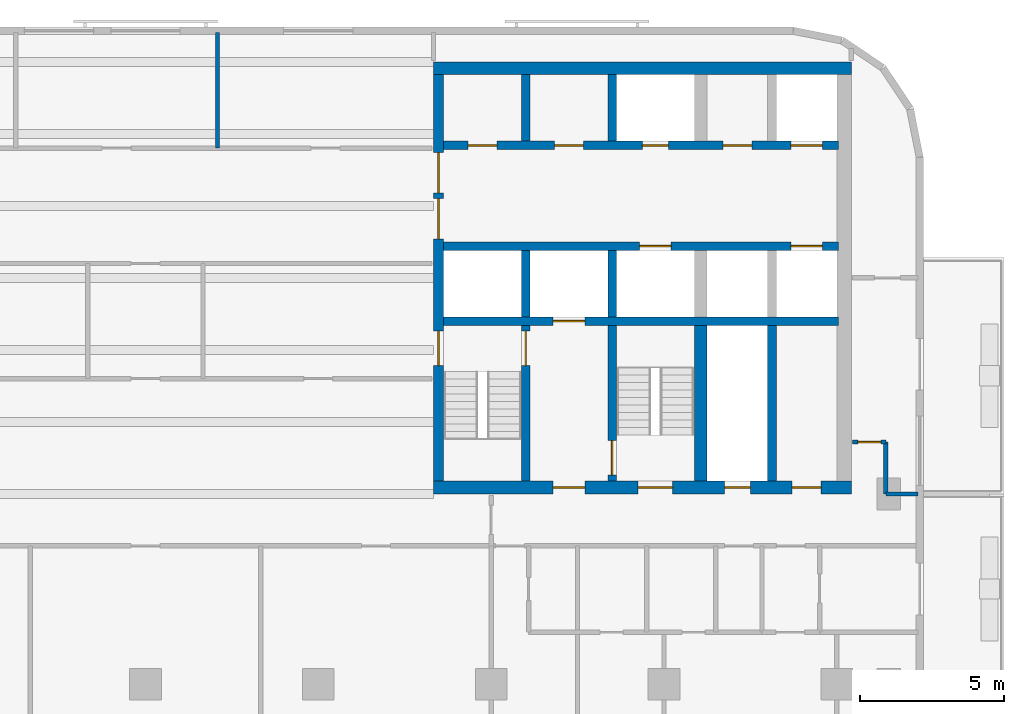
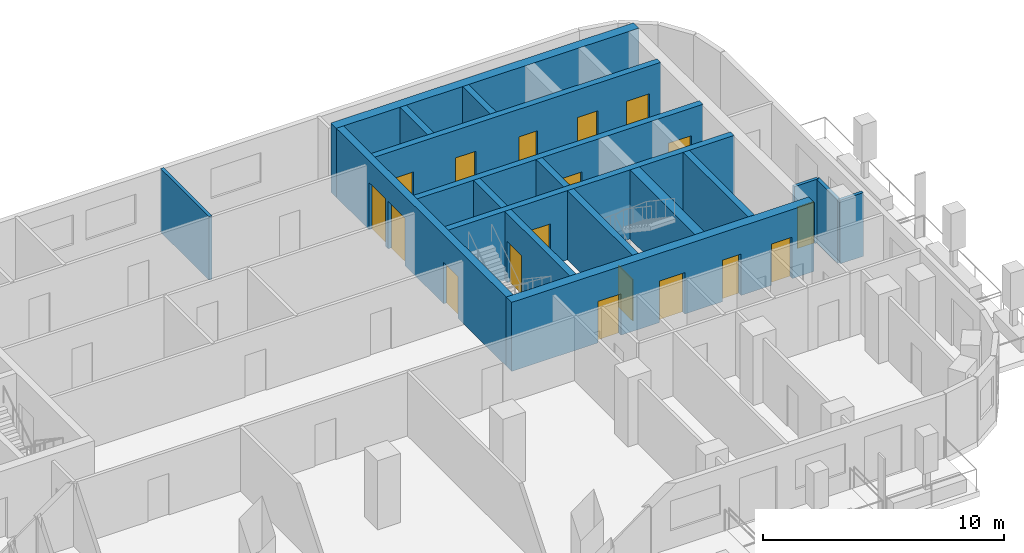
# One storey, part 6 of 11: 18 doors, 18 walls, 18 openings.
"""IFC4 building model written with IfcOpenShell, lengths in metres."""

from ifc_helpers import new_model, si_unit, direction, frame, frame_2d, origin, place, context, subcontext, project, spatial, rectangle, extrude, material, layer, layer_set, type_object, element, fill, save


model = new_model("IFC4")

# Units and contexts
model_context = context("Model", 3, precision=1e-05, world=origin(), true_north=direction((0.0, 1.0)))
body_context = subcontext(model_context, "Body", "Model", "MODEL_VIEW")
ifc_project = project(units=[si_unit("LENGTHUNIT", "METRE"), si_unit("AREAUNIT", "SQUARE_METRE"), si_unit("VOLUMEUNIT", "CUBIC_METRE"), si_unit("PLANEANGLEUNIT", "RADIAN"), si_unit("MASSUNIT", "GRAM", prefix="KILO")], contexts=[model_context])

# Site, building, storey
site_placement = place(None, origin())
site = spatial("IfcSite", under=ifc_project, at=site_placement, CompositionType="ELEMENT")
building_placement = place(site_placement, origin())
building = spatial("IfcBuilding", under=site, at=building_placement, Name="Torana Hotel and Residences", CompositionType="ELEMENT")
storey_placement = place(building_placement, frame((0.0, 0.0, 190.60009765625)))
storey = spatial("IfcBuildingStorey", under=building, at=storey_placement, Name="L49", CompositionType="ELEMENT", Elevation=190.60009765625)

# Wall, openings, doors
ifc_material_1 = material(Name="Concrete C70/85", Category="concrete")
ifc_layer_1 = layer(ifc_material_1, 0.300048828125)
ifc_layer_set_1 = layer_set([ifc_layer_1], Name="CORE WALL 300 C70/85")
wall_type_1 = type_object("IfcWallType", Name="CORE WALL 300 C70/85", PredefinedType="SHEAR", material=ifc_layer_set_1)
wall_1_placement = place(storey_placement, frame((10.35009765625, -2.89990234375, 0.0), z_axis=(0.0, 0.0, 1.0), x_axis=(1.0, 0.0, 0.0)))
wall_1 = element("IfcWall", 1, at=wall_1_placement, inside=storey, type_object=wall_type_1, Name="Core wall E row-N", PredefinedType="SHEAR", context=body_context, shape_type="SweptSolid", body=[
    extrude(rectangle(XDim=13.699951171875, YDim=0.300048828125, at=frame_2d((6.85009765625, 0.0))), origin(), (0.0, 0.0, 1.0), 3.5),
])
opening_1_placement = place(wall_1_placement, frame((12.050048828125, 0.0, 0.0)))
opening_1 = element("IfcOpeningElement", 2, at=opening_1_placement, cuts=wall_1, Name="Opening LD", PredefinedType="OPENING", context=body_context, shape_type="SweptSolid", body=[
    extrude(rectangle(XDim=1.10009765625, YDim=2.10009765625, at=frame_2d((0.550048828125, 1.050048828125))), frame((0.0, 0.159912109375, 0.0), z_axis=(0.0, -1.0, 0.0), x_axis=(1.0, 0.0, 0.0)), (0.0, 0.0, 1.0), 0.320068359375),
])
opening_2_placement = place(wall_1_placement, frame((6.89990234375, 0.0, 0.0)))
opening_2 = element("IfcOpeningElement", 3, at=opening_2_placement, cuts=wall_1, Name="Opening L49-21", PredefinedType="OPENING", context=body_context, shape_type="SweptSolid", body=[
    extrude(rectangle(XDim=0.89990234375, YDim=2.10009765625, at=frame_2d((0.449951171875, 1.050048828125))), frame((0.0, 0.159912109375, 0.0), z_axis=(0.0, -1.0, 0.0), x_axis=(1.0, 0.0, 0.0)), (0.0, 0.0, 1.0), 0.320068359375),
])
opening_3_placement = place(wall_1_placement, frame((0.85009765625, 0.0, 0.0)))
opening_3 = element("IfcOpeningElement", 4, at=opening_3_placement, cuts=wall_1, Name="Opening L49-22", PredefinedType="OPENING", context=body_context, shape_type="SweptSolid", body=[
    extrude(rectangle(XDim=1.0, YDim=2.10009765625, at=frame_2d((0.5, 1.050048828125))), frame((0.0, 0.159912109375, 0.0), z_axis=(0.0, -1.0, 0.0), x_axis=(1.0, 0.0, 0.0)), (0.0, 0.0, 1.0), 0.320068359375),
])
opening_4_placement = place(wall_1_placement, frame((3.85009765625, 0.0, 0.0)))
opening_4 = element("IfcOpeningElement", 5, at=opening_4_placement, cuts=wall_1, Name="Opening L49-23", PredefinedType="OPENING", context=body_context, shape_type="SweptSolid", body=[
    extrude(rectangle(XDim=1.0, YDim=2.10009765625, at=frame_2d((0.5, 1.050048828125))), frame((0.0, 0.159912109375, 0.0), z_axis=(0.0, -1.0, 0.0), x_axis=(1.0, 0.0, 0.0)), (0.0, 0.0, 1.0), 0.320068359375),
])
opening_5_placement = place(wall_1_placement, frame((9.699951171875, 0.0, 0.0)))
opening_5 = element("IfcOpeningElement", 6, at=opening_5_placement, cuts=wall_1, Name="Opening L49-24", PredefinedType="OPENING", context=body_context, shape_type="SweptSolid", body=[
    extrude(rectangle(XDim=1.0, YDim=2.10009765625, at=frame_2d((0.5, 1.050048828125))), frame((0.0, 0.159912109375, 0.0), z_axis=(0.0, -1.0, 0.0), x_axis=(1.0, 0.0, 0.0)), (0.0, 0.0, 1.0), 0.320068359375),
])
ifc_material_2 = material(Name="Steel S235", Category="steel")
door_type_1 = type_object("IfcDoorType", Name="CORE ROOM FIRE DOOR D14 1000x2100", OperationType="SINGLE_SWING_LEFT", PredefinedType="DOOR", material=ifc_material_2)
door_1_placement = place(opening_3_placement, origin())
door_1 = element("IfcDoor", 7, at=door_1_placement, inside=storey, type_object=door_type_1, Name="N0 door L49", OperationType="SINGLE_SWING_RIGHT", OverallHeight=2.10009765625, OverallWidth=1.0, PredefinedType="DOOR", context=body_context, shape_type="SweptSolid", body=[
    extrude(rectangle(XDim=1.0, YDim=2.10009765625, at=frame_2d((0.5, 1.050048828125))), frame((0.0, 0.02490234375, 0.0), z_axis=(0.0, -1.0, 0.0), x_axis=(1.0, 0.0, 0.0)), (0.0, 0.0, 1.0), 0.050048828125),
])
fill(opening_3, door_1)
door_2_placement = place(opening_4_placement, origin())
door_2 = element("IfcDoor", 8, at=door_2_placement, inside=storey, type_object=door_type_1, Name="N1 door L49", OperationType="SINGLE_SWING_RIGHT", OverallHeight=2.10009765625, OverallWidth=1.0, PredefinedType="DOOR", context=body_context, shape_type="SweptSolid", body=[
    extrude(rectangle(XDim=1.0, YDim=2.10009765625, at=frame_2d((0.5, 1.050048828125))), frame((0.0, 0.02490234375, 0.0), z_axis=(0.0, -1.0, 0.0), x_axis=(1.0, 0.0, 0.0)), (0.0, 0.0, 1.0), 0.050048828125),
])
fill(opening_4, door_2)
door_3_placement = place(opening_5_placement, origin())
door_3 = element("IfcDoor", 9, at=door_3_placement, inside=storey, type_object=door_type_1, Name="Freed-S2 door L49", OperationType="SINGLE_SWING_RIGHT", OverallHeight=2.10009765625, OverallWidth=1.0, PredefinedType="DOOR", context=body_context, shape_type="SweptSolid", body=[
    extrude(rectangle(XDim=1.0, YDim=2.10009765625, at=frame_2d((0.5, 1.050048828125))), frame((0.0, 0.02490234375, 0.0), z_axis=(0.0, -1.0, 0.0), x_axis=(1.0, 0.0, 0.0)), (0.0, 0.0, 1.0), 0.050048828125),
])
fill(opening_5, door_3)
ifc_material_3 = material(Name="Stainless steel 316", Category="steel")
door_type_2 = type_object("IfcDoorType", Name="LIFT LANDING DOOR LD 1100x2100", OperationType="DOUBLE_DOOR_SLIDING", PredefinedType="USERDEFINED", material=ifc_material_3)
door_4_placement = place(opening_1_placement, origin())
door_4 = element("IfcDoor", 10, at=door_4_placement, inside=storey, type_object=door_type_2, Name="Lift landing door M3 L49", ObjectType="LIFT LANDING DOOR", OperationType="DOUBLE_DOOR_SLIDING", OverallHeight=2.10009765625, OverallWidth=1.10009765625, PredefinedType="USERDEFINED", context=body_context, shape_type="SweptSolid", body=[
    extrude(rectangle(XDim=1.10009765625, YDim=2.10009765625, at=frame_2d((0.550048828125, 1.050048828125))), frame((0.0, 0.02490234375, 0.0), z_axis=(0.0, -1.0, 0.0), x_axis=(1.0, 0.0, 0.0)), (0.0, 0.0, 1.0), 0.050048828125),
])
fill(opening_1, door_4)
ifc_material_4 = material(Name="Steel S235", Category="steel")
door_type_3 = type_object("IfcDoorType", Name="RISER ACCESS DOOR D5 900x2100", OperationType="SINGLE_SWING_LEFT", PredefinedType="DOOR", material=ifc_material_4)
door_5_placement = place(opening_2_placement, origin())
door_5 = element("IfcDoor", 11, at=door_5_placement, inside=storey, type_object=door_type_3, Name="N2 door L49", OperationType="SINGLE_SWING_RIGHT", OverallHeight=2.10009765625, OverallWidth=0.89990234375, PredefinedType="DOOR", context=body_context, shape_type="SweptSolid", body=[
    extrude(rectangle(XDim=0.89990234375, YDim=2.10009765625, at=frame_2d((0.449951171875, 1.050048828125))), frame((0.0, 0.02490234375, 0.0), z_axis=(0.0, -1.0, 0.0), x_axis=(1.0, 0.0, 0.0)), (0.0, 0.0, 1.0), 0.050048828125),
])
fill(opening_2, door_5)

wall_2_placement = place(storey_placement, frame((10.35009765625, -6.39990234375, 0.0), z_axis=(0.0, 0.0, 1.0), x_axis=(1.0, 0.0, 0.0)))
wall_2 = element("IfcWall", 12, at=wall_2_placement, inside=storey, type_object=wall_type_1, Name="Core wall E row-S", PredefinedType="SHEAR", context=body_context, shape_type="SweptSolid", body=[
    extrude(rectangle(XDim=13.699951171875, YDim=0.300048828125, at=frame_2d((6.85009765625, 0.0))), origin(), (0.0, 0.0, 1.0), 3.5),
])
opening_6_placement = place(wall_2_placement, frame((12.050048828125, 0.0, 0.0)))
opening_6 = element("IfcOpeningElement", 13, at=opening_6_placement, cuts=wall_2, Name="Opening LD", PredefinedType="OPENING", context=body_context, shape_type="SweptSolid", body=[
    extrude(rectangle(XDim=1.10009765625, YDim=2.10009765625, at=frame_2d((0.550048828125, 1.050048828125))), frame((0.0, 0.159912109375, 0.0), z_axis=(0.0, -1.0, 0.0), x_axis=(1.0, 0.0, 0.0)), (0.0, 0.0, 1.0), 0.320068359375),
])
opening_7_placement = place(wall_2_placement, frame((6.800048828125, 0.0, 0.0)))
opening_7 = element("IfcOpeningElement", 14, at=opening_7_placement, cuts=wall_2, Name="Opening LD", PredefinedType="OPENING", context=body_context, shape_type="SweptSolid", body=[
    extrude(rectangle(XDim=1.10009765625, YDim=2.10009765625, at=frame_2d((0.550048828125, 1.050048828125))), frame((0.0, 0.159912109375, 0.0), z_axis=(0.0, -1.0, 0.0), x_axis=(1.0, 0.0, 0.0)), (0.0, 0.0, 1.0), 0.320068359375),
])
door_6_placement = place(opening_6_placement, origin())
door_6 = element("IfcDoor", 15, at=door_6_placement, inside=storey, type_object=door_type_2, Name="Lift landing door M4 L49", ObjectType="LIFT LANDING DOOR", OperationType="DOUBLE_DOOR_SLIDING", OverallHeight=2.10009765625, OverallWidth=1.10009765625, PredefinedType="USERDEFINED", context=body_context, shape_type="SweptSolid", body=[
    extrude(rectangle(XDim=1.10009765625, YDim=2.10009765625, at=frame_2d((0.550048828125, 1.050048828125))), frame((0.0, 0.02490234375, 0.0), z_axis=(0.0, -1.0, 0.0), x_axis=(1.0, 0.0, 0.0)), (0.0, 0.0, 1.0), 0.050048828125),
])
fill(opening_6, door_6)
door_7_placement = place(opening_7_placement, origin())
door_7 = element("IfcDoor", 16, at=door_7_placement, inside=storey, type_object=door_type_2, Name="Lift landing door SV2 L49", ObjectType="LIFT LANDING DOOR", OperationType="DOUBLE_DOOR_SLIDING", OverallHeight=2.10009765625, OverallWidth=1.10009765625, PredefinedType="USERDEFINED", context=body_context, shape_type="SweptSolid", body=[
    extrude(rectangle(XDim=1.10009765625, YDim=2.10009765625, at=frame_2d((0.550048828125, 1.050048828125))), frame((0.0, 0.02490234375, 0.0), z_axis=(0.0, -1.0, 0.0), x_axis=(1.0, 0.0, 0.0)), (0.0, 0.0, 1.0), 0.050048828125),
])
fill(opening_7, door_7)

# Wall, opening, door
wall_3_placement = place(storey_placement, frame((10.35009765625, -9.0, 0.0), z_axis=(0.0, 0.0, 1.0), x_axis=(1.0, 0.0, 0.0)))
wall_3 = element("IfcWall", 17, at=wall_3_placement, inside=storey, type_object=wall_type_1, Name="Core wall E band", PredefinedType="SHEAR", context=body_context, shape_type="SweptSolid", body=[
    extrude(rectangle(XDim=13.699951171875, YDim=0.300048828125, at=frame_2d((6.85009765625, 0.0))), origin(), (0.0, 0.0, 1.0), 3.5),
])
opening_8_placement = place(wall_3_placement, frame((3.800048828125, 0.0, 0.0)))
opening_8 = element("IfcOpeningElement", 18, at=opening_8_placement, cuts=wall_3, Name="Opening LD", PredefinedType="OPENING", context=body_context, shape_type="SweptSolid", body=[
    extrude(rectangle(XDim=1.10009765625, YDim=2.10009765625, at=frame_2d((0.550048828125, 1.050048828125))), frame((0.0, 0.159912109375, 0.0), z_axis=(0.0, -1.0, 0.0), x_axis=(1.0, 0.0, 0.0)), (0.0, 0.0, 1.0), 0.320068359375),
])
door_8_placement = place(opening_8_placement, origin())
door_8 = element("IfcDoor", 19, at=door_8_placement, inside=storey, type_object=door_type_2, Name="Lift landing door FF2 L49", ObjectType="LIFT LANDING DOOR", OperationType="DOUBLE_DOOR_SLIDING", OverallHeight=2.10009765625, OverallWidth=1.10009765625, PredefinedType="USERDEFINED", context=body_context, shape_type="SweptSolid", body=[
    extrude(rectangle(XDim=1.10009765625, YDim=2.10009765625, at=frame_2d((0.550048828125, 1.050048828125))), frame((0.0, 0.02490234375, 0.0), z_axis=(0.0, -1.0, 0.0), x_axis=(1.0, 0.0, 0.0)), (0.0, 0.0, 1.0), 0.050048828125),
])
fill(opening_8, door_8)

# Walls
for number, where, z_axis, x_axis, name in (
    (20, (13.199951171875, -2.75, 0.0), (0.0, 0.0, 1.0), (0.0, 1.0, 0.0), "Core wall E x3.05-N"),
    (21, (13.199951171875, -8.85009765625, 0.0), (0.0, 0.0, 1.0), (0.0, 1.0, 0.0), "Core wall E x3.05-S"),
):
    element("IfcWall", number, at=place(storey_placement, frame(where, z_axis=z_axis, x_axis=x_axis)), inside=storey, type_object=wall_type_1, Name=name, PredefinedType="SHEAR", context=body_context, shape_type="SweptSolid", body=[
        extrude(rectangle(XDim=2.300048828125, YDim=0.300048828125, at=frame_2d((1.14990234375, 0.0))), origin(), (0.0, 0.0, 1.0), 3.5),
    ])

# Wall, opening, door
wall_4_placement = place(storey_placement, frame((13.199951171875, -14.550048828125, 0.0), z_axis=(0.0, 0.0, 1.0), x_axis=(0.0, 1.0, 0.0)))
wall_4 = element("IfcWall", 22, at=wall_4_placement, inside=storey, type_object=wall_type_1, Name="Core wall E x3.05-band", PredefinedType="SHEAR", context=body_context, shape_type="SweptSolid", body=[
    extrude(rectangle(XDim=5.400146484375, YDim=0.300048828125, at=frame_2d((2.7001953125, 0.0))), origin(), (0.0, 0.0, 1.0), 3.5),
])
opening_9_placement = place(wall_4_placement, frame((4.0, 0.0, 0.0)))
opening_9 = element("IfcOpeningElement", 23, at=opening_9_placement, cuts=wall_4, Name="Opening L49-25", PredefinedType="OPENING", context=body_context, shape_type="SweptSolid", body=[
    extrude(rectangle(XDim=1.199951171875, YDim=2.10009765625, at=frame_2d((0.60009765625, 1.050048828125))), frame((0.0, 0.159912109375, 0.0), z_axis=(0.0, -1.0, 0.0), x_axis=(1.0, 0.0, 0.0)), (0.0, 0.0, 1.0), 0.320068359375),
])
ifc_material_5 = material(Name="Steel S235", Category="steel")
door_type_4 = type_object("IfcDoorType", Name="STAIR FIRE DOOR D3 1200x2100", OperationType="SINGLE_SWING_LEFT", PredefinedType="DOOR", material=ifc_material_5)
door_9_placement = place(opening_9_placement, origin())
door_9 = element("IfcDoor", 24, at=door_9_placement, inside=storey, type_object=door_type_4, Name="Stair-A-lobby door L49", OperationType="SINGLE_SWING_LEFT", OverallHeight=2.10009765625, OverallWidth=1.199951171875, PredefinedType="DOOR", context=body_context, shape_type="SweptSolid", body=[
    extrude(rectangle(XDim=1.199951171875, YDim=2.10009765625, at=frame_2d((0.60009765625, 1.050048828125))), frame((0.0, 0.02490234375, 0.0), z_axis=(0.0, -1.0, 0.0), x_axis=(1.0, 0.0, 0.0)), (0.0, 0.0, 1.0), 0.050048828125),
])
fill(opening_9, door_9)

# Walls
for number, where, z_axis, x_axis, name in (
    (25, (16.199951171875, -2.75, 0.0), (0.0, 0.0, 1.0), (0.0, 1.0, 0.0), "Core wall E x6.05-N"),
    (26, (16.199951171875, -8.85009765625, 0.0), (0.0, 0.0, 1.0), (0.0, 1.0, 0.0), "Core wall E x6.05-S"),
):
    element("IfcWall", number, at=place(storey_placement, frame(where, z_axis=z_axis, x_axis=x_axis)), inside=storey, type_object=wall_type_1, Name=name, PredefinedType="SHEAR", context=body_context, shape_type="SweptSolid", body=[
        extrude(rectangle(XDim=2.300048828125, YDim=0.300048828125, at=frame_2d((1.14990234375, 0.0))), origin(), (0.0, 0.0, 1.0), 3.5),
    ])

# Wall, opening, door
wall_5_placement = place(storey_placement, frame((16.199951171875, -14.550048828125, 0.0), z_axis=(0.0, 0.0, 1.0), x_axis=(0.0, 1.0, 0.0)))
wall_5 = element("IfcWall", 27, at=wall_5_placement, inside=storey, type_object=wall_type_1, Name="Core wall E x6.05-band", PredefinedType="SHEAR", context=body_context, shape_type="SweptSolid", body=[
    extrude(rectangle(XDim=5.400146484375, YDim=0.300048828125, at=frame_2d((2.7001953125, 0.0))), origin(), (0.0, 0.0, 1.0), 3.5),
])
opening_10_placement = place(wall_5_placement, frame((0.199951171875, 0.0, 0.0)))
opening_10 = element("IfcOpeningElement", 28, at=opening_10_placement, cuts=wall_5, Name="Opening L49-26", PredefinedType="OPENING", context=body_context, shape_type="SweptSolid", body=[
    extrude(rectangle(XDim=1.199951171875, YDim=2.10009765625, at=frame_2d((0.60009765625, 1.050048828125))), frame((0.0, 0.159912109375, 0.0), z_axis=(0.0, -1.0, 0.0), x_axis=(1.0, 0.0, 0.0)), (0.0, 0.0, 1.0), 0.320068359375),
])
door_10_placement = place(opening_10_placement, frame((0.60009765625, 0.0, 0.0), z_axis=(0.0, 0.0, 1.0), x_axis=(-1.0, 0.0, 0.0)))
door_10 = element("IfcDoor", 29, at=door_10_placement, inside=storey, type_object=door_type_4, Name="Stair-B-lobby door L49", OperationType="SINGLE_SWING_LEFT", OverallHeight=2.10009765625, OverallWidth=1.199951171875, PredefinedType="DOOR", context=body_context, shape_type="SweptSolid", body=[
    extrude(rectangle(XDim=1.199951171875, YDim=2.10009765625, at=frame_2d((0.0, 1.050048828125))), frame((0.0, -0.02490234375, 0.0), z_axis=(0.0, 1.0, 0.0), x_axis=(-1.0, 0.0, 0.0)), (0.0, 0.0, 1.0), 0.050048828125),
])
fill(opening_10, door_10)

# Wall
wall_6_placement = place(storey_placement, frame((21.75, -14.550048828125, 0.0), z_axis=(0.0, 0.0, 1.0), x_axis=(0.0, 1.0, 0.0)))
element("IfcWall", 30, at=wall_6_placement, inside=storey, type_object=wall_type_1, Name="Core wall E mm-band", PredefinedType="SHEAR", context=body_context, shape_type="SweptSolid", body=[
    extrude(rectangle(XDim=5.400146484375, YDim=0.300048828125, at=frame_2d((2.7001953125, 0.0))), origin(), (0.0, 0.0, 1.0), 3.5),
])

# Wall, openings, doors
ifc_material_6 = material(Name="Concrete C70/85", Category="concrete")
ifc_layer_2 = layer(ifc_material_6, 0.35009765625)
ifc_layer_set_2 = layer_set([ifc_layer_2], Name="CORE WALL 350 C70/85")
wall_type_2 = type_object("IfcWallType", Name="CORE WALL 350 C70/85", PredefinedType="SHEAR", material=ifc_layer_set_2)
wall_7_placement = place(storey_placement, frame((10.175048828125, -14.550048828125, 0.0), z_axis=(0.0, 0.0, 1.0), x_axis=(0.0, 1.0, 0.0)))
wall_7 = element("IfcWall", 31, at=wall_7_placement, inside=storey, type_object=wall_type_2, Name="Core wall E arch", PredefinedType="SHEAR", context=body_context, shape_type="SweptSolid", body=[
    extrude(rectangle(XDim=14.10009765625, YDim=0.35009765625, at=frame_2d((7.050048828125, 0.0))), origin(), (0.0, 0.0, 1.0), 3.5),
])
opening_11_placement = place(wall_7_placement, frame((8.39990234375, 0.0, 0.0)))
opening_11 = element("IfcOpeningElement", 32, at=opening_11_placement, cuts=wall_7, Name="Opening L49-14", PredefinedType="OPENING", context=body_context, shape_type="SweptSolid", body=[
    extrude(rectangle(XDim=1.39990234375, YDim=2.39990234375, at=frame_2d((0.699951171875, 1.199951171875))), frame((0.0, 0.18505859375, 0.0), z_axis=(0.0, -1.0, 0.0), x_axis=(1.0, 0.0, 0.0)), (0.0, 0.0, 1.0), 0.3701171875),
])
opening_12_placement = place(wall_7_placement, frame((10.0, 0.0, 0.0)))
opening_12 = element("IfcOpeningElement", 33, at=opening_12_placement, cuts=wall_7, Name="Opening L49-15", PredefinedType="OPENING", context=body_context, shape_type="SweptSolid", body=[
    extrude(rectangle(XDim=1.39990234375, YDim=2.39990234375, at=frame_2d((0.699951171875, 1.199951171875))), frame((0.0, 0.18505859375, 0.0), z_axis=(0.0, -1.0, 0.0), x_axis=(1.0, 0.0, 0.0)), (0.0, 0.0, 1.0), 0.3701171875),
])
opening_13_placement = place(wall_7_placement, frame((4.0, 0.0, 0.0)))
opening_13 = element("IfcOpeningElement", 34, at=opening_13_placement, cuts=wall_7, Name="Opening L49-16", PredefinedType="OPENING", context=body_context, shape_type="SweptSolid", body=[
    extrude(rectangle(XDim=1.199951171875, YDim=2.10009765625, at=frame_2d((0.60009765625, 1.050048828125))), frame((0.0, 0.18505859375, 0.0), z_axis=(0.0, -1.0, 0.0), x_axis=(1.0, 0.0, 0.0)), (0.0, 0.0, 1.0), 0.3701171875),
])
ifc_material_7 = material(Name="Steel S235", Category="steel")
door_type_5 = type_object("IfcDoorType", Name="LOBBY FIRE DOOR D4 1400x2400", OperationType="DOUBLE_DOOR_SINGLE_SWING", PredefinedType="DOOR", material=ifc_material_7)
door_11_placement = place(opening_11_placement, origin())
door_11 = element("IfcDoor", 35, at=door_11_placement, inside=storey, type_object=door_type_5, Name="Lobby-1 door L49", OperationType="DOUBLE_DOOR_SINGLE_SWING", OverallHeight=2.39990234375, OverallWidth=1.39990234375, PredefinedType="DOOR", context=body_context, shape_type="SweptSolid", body=[
    extrude(rectangle(XDim=1.39990234375, YDim=2.39990234375, at=frame_2d((0.699951171875, 1.199951171875))), frame((0.0, 0.02490234375, 0.0), z_axis=(0.0, -1.0, 0.0), x_axis=(1.0, 0.0, 0.0)), (0.0, 0.0, 1.0), 0.050048828125),
])
fill(opening_11, door_11)
door_12_placement = place(opening_12_placement, origin())
door_12 = element("IfcDoor", 36, at=door_12_placement, inside=storey, type_object=door_type_5, Name="Lobby-2 door L49", OperationType="DOUBLE_DOOR_SINGLE_SWING", OverallHeight=2.39990234375, OverallWidth=1.39990234375, PredefinedType="DOOR", context=body_context, shape_type="SweptSolid", body=[
    extrude(rectangle(XDim=1.39990234375, YDim=2.39990234375, at=frame_2d((0.699951171875, 1.199951171875))), frame((0.0, 0.02490234375, 0.0), z_axis=(0.0, -1.0, 0.0), x_axis=(1.0, 0.0, 0.0)), (0.0, 0.0, 1.0), 0.050048828125),
])
fill(opening_12, door_12)
door_13_placement = place(opening_13_placement, frame((0.60009765625, 0.0, 0.0), z_axis=(0.0, 0.0, 1.0), x_axis=(-1.0, 0.0, 0.0)))
door_13 = element("IfcDoor", 37, at=door_13_placement, inside=storey, type_object=door_type_4, Name="Stair-A door L49", OperationType="SINGLE_SWING_RIGHT", OverallHeight=2.10009765625, OverallWidth=1.199951171875, PredefinedType="DOOR", context=body_context, shape_type="SweptSolid", body=[
    extrude(rectangle(XDim=1.199951171875, YDim=2.10009765625, at=frame_2d((0.0, 1.050048828125))), frame((0.0, -0.02490234375, 0.0), z_axis=(0.0, 1.0, 0.0), x_axis=(-1.0, 0.0, 0.0)), (0.0, 0.0, 1.0), 0.050048828125),
])
fill(opening_13, door_13)

# Wall
ifc_material_8 = material(Name="Concrete C70/85", Category="concrete")
ifc_layer_3 = layer(ifc_material_8, 0.449951171875)
ifc_layer_set_3 = layer_set([ifc_layer_3], Name="CORE WALL 450 C70/85")
wall_type_3 = type_object("IfcWallType", Name="CORE WALL 450 C70/85", PredefinedType="SHEAR", material=ifc_layer_set_3)
wall_8_placement = place(storey_placement, frame((10.0, -0.22509765625, 0.0), z_axis=(0.0, 0.0, 1.0), x_axis=(1.0, 0.0, 0.0)))
element("IfcWall", 38, at=wall_8_placement, inside=storey, type_object=wall_type_3, Name="Core wall E rear", PredefinedType="SHEAR", context=body_context, shape_type="SweptSolid", body=[
    extrude(rectangle(XDim=14.5, YDim=0.449951171875, at=frame_2d((7.25, 0.0))), origin(), (0.0, 0.0, 1.0), 3.5),
])

# Wall, openings, doors
wall_9_placement = place(storey_placement, frame((10.0, -14.77490234375, 0.0), z_axis=(0.0, 0.0, 1.0), x_axis=(1.0, 0.0, 0.0)))
wall_9 = element("IfcWall", 39, at=wall_9_placement, inside=storey, type_object=wall_type_3, Name="Core wall E front", PredefinedType="SHEAR", context=body_context, shape_type="SweptSolid", body=[
    extrude(rectangle(XDim=14.5, YDim=0.449951171875, at=frame_2d((7.25, 0.0))), origin(), (0.0, 0.0, 1.0), 3.5),
])
opening_14_placement = place(wall_9_placement, frame((7.10009765625, 0.0, 0.0)))
opening_14 = element("IfcOpeningElement", 40, at=opening_14_placement, cuts=wall_9, Name="Opening L49-17", PredefinedType="OPENING", context=body_context, shape_type="SweptSolid", body=[
    extrude(rectangle(XDim=1.199951171875, YDim=2.10009765625, at=frame_2d((0.60009765625, 1.050048828125))), frame((0.0, 0.23486328125, 0.0), z_axis=(0.0, -1.0, 0.0), x_axis=(1.0, 0.0, 0.0)), (0.0, 0.0, 1.0), 0.469970703125),
])
opening_15_placement = place(wall_9_placement, frame((4.14990234375, 0.0, 0.0)))
opening_15 = element("IfcOpeningElement", 41, at=opening_15_placement, cuts=wall_9, Name="Opening L49-18", PredefinedType="OPENING", context=body_context, shape_type="SweptSolid", body=[
    extrude(rectangle(XDim=1.10009765625, YDim=2.10009765625, at=frame_2d((0.550048828125, 1.050048828125))), frame((0.0, 0.23486328125, 0.0), z_axis=(0.0, -1.0, 0.0), x_axis=(1.0, 0.0, 0.0)), (0.0, 0.0, 1.0), 0.469970703125),
])
opening_16_placement = place(wall_9_placement, frame((10.10009765625, 0.0, 0.0)))
opening_16 = element("IfcOpeningElement", 42, at=opening_16_placement, cuts=wall_9, Name="Opening L49-19", PredefinedType="OPENING", context=body_context, shape_type="SweptSolid", body=[
    extrude(rectangle(XDim=0.89990234375, YDim=2.10009765625, at=frame_2d((0.449951171875, 1.050048828125))), frame((0.0, 0.23486328125, 0.0), z_axis=(0.0, -1.0, 0.0), x_axis=(1.0, 0.0, 0.0)), (0.0, 0.0, 1.0), 0.469970703125),
])
opening_17_placement = place(wall_9_placement, frame((12.449951171875, 0.0, 0.0)))
opening_17 = element("IfcOpeningElement", 43, at=opening_17_placement, cuts=wall_9, Name="Opening L49-20", PredefinedType="OPENING", context=body_context, shape_type="SweptSolid", body=[
    extrude(rectangle(XDim=1.0, YDim=2.10009765625, at=frame_2d((0.5, 1.050048828125))), frame((0.0, 0.23486328125, 0.0), z_axis=(0.0, -1.0, 0.0), x_axis=(1.0, 0.0, 0.0)), (0.0, 0.0, 1.0), 0.469970703125),
])
door_14_placement = place(opening_17_placement, origin())
door_14 = element("IfcDoor", 44, at=door_14_placement, inside=storey, type_object=door_type_1, Name="M-Room door L49", OperationType="SINGLE_SWING_RIGHT", OverallHeight=2.10009765625, OverallWidth=1.0, PredefinedType="DOOR", context=body_context, shape_type="SweptSolid", body=[
    extrude(rectangle(XDim=1.0, YDim=2.10009765625, at=frame_2d((0.5, 1.050048828125))), frame((0.0, 0.02490234375, 0.0), z_axis=(0.0, -1.0, 0.0), x_axis=(1.0, 0.0, 0.0)), (0.0, 0.0, 1.0), 0.050048828125),
])
fill(opening_17, door_14)
ifc_material_9 = material(Name="Steel S235", Category="steel")
door_type_6 = type_object("IfcDoorType", Name="FIRE-FIGHTING LOBBY DOOR D8 1100x2100", OperationType="SINGLE_SWING_LEFT", PredefinedType="DOOR", material=ifc_material_9)
door_15_placement = place(opening_15_placement, origin())
door_15 = element("IfcDoor", 45, at=door_15_placement, inside=storey, type_object=door_type_6, Name="FF-lobby door L49", OperationType="SINGLE_SWING_RIGHT", OverallHeight=2.10009765625, OverallWidth=1.10009765625, PredefinedType="DOOR", context=body_context, shape_type="SweptSolid", body=[
    extrude(rectangle(XDim=1.10009765625, YDim=2.10009765625, at=frame_2d((0.550048828125, 1.050048828125))), frame((0.0, 0.02490234375, 0.0), z_axis=(0.0, -1.0, 0.0), x_axis=(1.0, 0.0, 0.0)), (0.0, 0.0, 1.0), 0.050048828125),
])
fill(opening_15, door_15)
door_16_placement = place(opening_16_placement, origin())
door_16 = element("IfcDoor", 46, at=door_16_placement, inside=storey, type_object=door_type_3, Name="M-Riser door L49", OperationType="SINGLE_SWING_RIGHT", OverallHeight=2.10009765625, OverallWidth=0.89990234375, PredefinedType="DOOR", context=body_context, shape_type="SweptSolid", body=[
    extrude(rectangle(XDim=0.89990234375, YDim=2.10009765625, at=frame_2d((0.449951171875, 1.050048828125))), frame((0.0, 0.02490234375, 0.0), z_axis=(0.0, -1.0, 0.0), x_axis=(1.0, 0.0, 0.0)), (0.0, 0.0, 1.0), 0.050048828125),
])
fill(opening_16, door_16)
door_17_placement = place(opening_14_placement, origin())
door_17 = element("IfcDoor", 47, at=door_17_placement, inside=storey, type_object=door_type_4, Name="Stair-B door L49", OperationType="SINGLE_SWING_RIGHT", OverallHeight=2.10009765625, OverallWidth=1.199951171875, PredefinedType="DOOR", context=body_context, shape_type="SweptSolid", body=[
    extrude(rectangle(XDim=1.199951171875, YDim=2.10009765625, at=frame_2d((0.60009765625, 1.050048828125))), frame((0.0, 0.02490234375, 0.0), z_axis=(0.0, -1.0, 0.0), x_axis=(1.0, 0.0, 0.0)), (0.0, 0.0, 1.0), 0.050048828125),
])
fill(opening_14, door_17)

# Walls
wall_10_placement = place(storey_placement, frame((19.27490234375, -14.550048828125, 0.0), z_axis=(0.0, 0.0, 1.0), x_axis=(0.0, 1.0, 0.0)))
element("IfcWall", 48, at=wall_10_placement, inside=storey, type_object=wall_type_3, Name="Core wall E hm-band", PredefinedType="SHEAR", context=body_context, shape_type="SweptSolid", body=[
    extrude(rectangle(XDim=5.400146484375, YDim=0.449951171875, at=frame_2d((2.7001953125, 0.0))), origin(), (0.0, 0.0, 1.0), 3.5),
])
ifc_material_10 = material(Name="Gypsum plaster")
ifc_layer_4 = layer(ifc_material_10, 0.014892578125, Name="Plaster", Category="finish")
ifc_material_11 = material(Name="Concrete blockwork", Category="masonry")
ifc_layer_5 = layer(ifc_material_11, 0.1201171875, Name="Blockwork", Category="structure")
ifc_layer_6 = layer(ifc_material_10, 0.014892578125, Name="Plaster", Category="finish")
ifc_layer_set_4 = layer_set([ifc_layer_4, ifc_layer_5, ifc_layer_6], Name="FIRE PARTITION 150 BLOCKWORK")
wall_type_4 = type_object("IfcWallType", Name="FIRE PARTITION 150 BLOCKWORK", PredefinedType="PARTITIONING", material=ifc_layer_set_4)
wall_11_placement = place(storey_placement, frame((25.699951171875, -15.0, 0.0), z_axis=(0.0, 0.0, 1.0), x_axis=(0.0, 1.0, 0.0)))
element("IfcWall", 49, at=wall_11_placement, inside=storey, type_object=wall_type_4, Name="Partition L49", PredefinedType="PARTITIONING", context=body_context, shape_type="SweptSolid", body=[
    extrude(rectangle(XDim=1.800048828125, YDim=0.14990234375, at=frame_2d((0.89990234375, 0.0))), origin(), (0.0, 0.0, 1.0), 3.219970703125),
])
wall_12_placement = place(storey_placement, frame((25.699951171875, -15.0, 0.0), z_axis=(0.0, 0.0, 1.0), x_axis=(1.0, 0.0, 0.0)))
element("IfcWall", 50, at=wall_12_placement, inside=storey, type_object=wall_type_4, Name="Partition L49", PredefinedType="PARTITIONING", context=body_context, shape_type="SweptSolid", body=[
    extrude(rectangle(XDim=1.1201171875, YDim=0.14990234375, at=frame_2d((0.56005859375, 0.0))), origin(), (0.0, 0.0, 1.0), 3.219970703125),
])

# Wall, opening, door
wall_13_placement = place(storey_placement, frame((24.550048828125, -13.199951171875, 0.0), z_axis=(0.0, 0.0, 1.0), x_axis=(1.0, 0.0, 0.0)))
wall_13 = element("IfcWall", 51, at=wall_13_placement, inside=storey, type_object=wall_type_4, Name="Partition L49", PredefinedType="PARTITIONING", context=body_context, shape_type="SweptSolid", body=[
    extrude(rectangle(XDim=1.14990234375, YDim=0.14990234375, at=frame_2d((0.574951171875, 0.0))), origin(), (0.0, 0.0, 1.0), 3.219970703125),
])
opening_18_placement = place(wall_13_placement, frame((0.175048828125, 0.0, 0.0)))
opening_18 = element("IfcOpeningElement", 52, at=opening_18_placement, cuts=wall_13, Name="Opening L49-37", PredefinedType="OPENING", context=body_context, shape_type="SweptSolid", body=[
    extrude(rectangle(XDim=0.800048828125, YDim=2.10009765625, at=frame_2d((0.39990234375, 1.050048828125))), frame((0.0, 0.0849609375, 0.0), z_axis=(0.0, -1.0, 0.0), x_axis=(1.0, 0.0, 0.0)), (0.0, 0.0, 1.0), 0.169921875),
])
ifc_material_12 = material(Name="Steel S235", Category="steel")
door_type_7 = type_object("IfcDoorType", Name="STORE FIRE DOOR D16 800x2100", OperationType="SINGLE_SWING_LEFT", PredefinedType="DOOR", material=ifc_material_12)
door_18_placement = place(opening_18_placement, origin())
door_18 = element("IfcDoor", 53, at=door_18_placement, inside=storey, type_object=door_type_7, Name="Door L49", OperationType="SINGLE_SWING_RIGHT", OverallHeight=2.10009765625, OverallWidth=0.800048828125, PredefinedType="DOOR", context=body_context, shape_type="SweptSolid", body=[
    extrude(rectangle(XDim=0.800048828125, YDim=2.10009765625, at=frame_2d((0.39990234375, 1.050048828125))), frame((0.0, 0.02490234375, 0.0), z_axis=(0.0, -1.0, 0.0), x_axis=(1.0, 0.0, 0.0)), (0.0, 0.0, 1.0), 0.050048828125),
])
fill(opening_18, door_18)

# Wall
ifc_material_13 = material(Name="Gypsum plasterboard")
ifc_layer_7 = layer(ifc_material_13, 0.012451171875, Name="Plasterboard", Category="finish")
ifc_layer_8 = layer(ifc_material_13, 0.012451171875, Name="Plasterboard", Category="finish")
ifc_material_14 = material(Name="Steel S280GD", Category="steel")
ifc_layer_9 = layer(ifc_material_14, 0.10009765625, Name="Steel studs with mineral wool", Category="insulation")
ifc_layer_10 = layer(ifc_material_13, 0.012451171875, Name="Plasterboard", Category="finish")
ifc_layer_11 = layer(ifc_material_13, 0.012451171875, Name="Plasterboard", Category="finish")
ifc_layer_set_5 = layer_set([ifc_layer_7, ifc_layer_8, ifc_layer_9, ifc_layer_10, ifc_layer_11], Name="PARTITION 150 PLASTERBOARD")
wall_type_5 = type_object("IfcWallType", Name="PARTITION 150 PLASTERBOARD", PredefinedType="PARTITIONING", material=ifc_layer_set_5)
wall_14_placement = place(storey_placement, frame((2.5, -3.0, 0.0), z_axis=(0.0, 0.0, 1.0), x_axis=(0.0, 1.0, 0.0)))
element("IfcWall", 54, at=wall_14_placement, inside=storey, type_object=wall_type_5, Name="Partition L49", PredefinedType="PARTITIONING", context=body_context, shape_type="SweptSolid", body=[
    extrude(rectangle(XDim=4.02001953125, YDim=0.14990234375, at=frame_2d((2.010009765625, 0.0))), origin(), (0.0, 0.0, 1.0), 3.219970703125),
])

save(model, "model.ifc")
